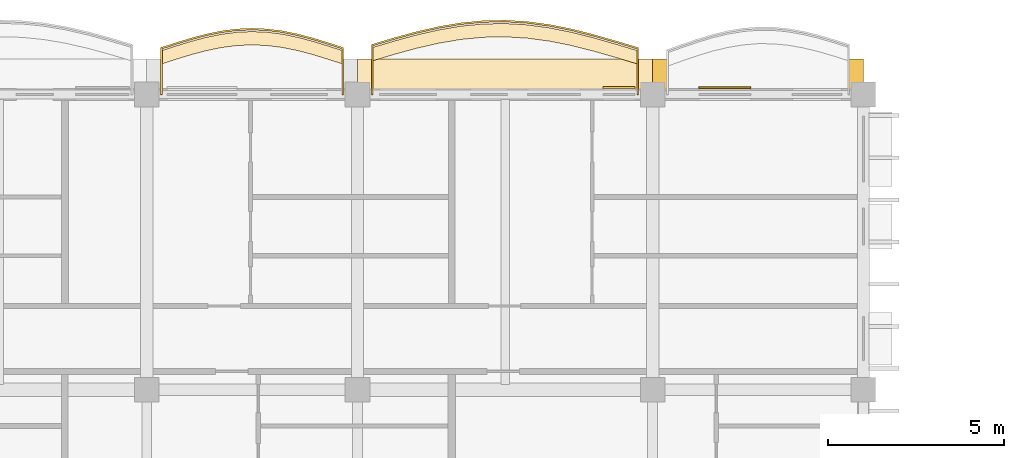
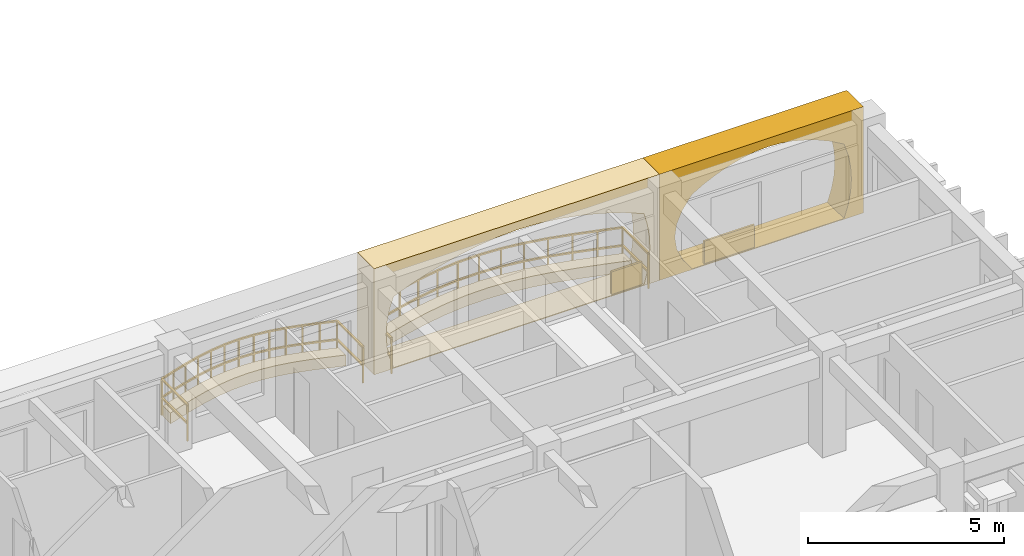
# One storey, part 53 of 70: 6 coverings, 2 railings.
"""IFC4 building model written with IfcOpenShell, lengths in metres."""

import ifcopenshell
import ifcopenshell.guid

model = None  # the IFC model being written
_history = None  # IfcOwnerHistory: only IFC2X3 demands one
_inside = {}  # id of a spatial element -> (the spatial element, [elements in it])
_under = {}  # id of a project, library or spatial element -> (it, [spatial elements below it])
_declared = {}  # id of a project -> (the project, [libraries it declares])
_typed = {}  # id of a type object -> (the type object, [elements of that type])
_made_of = {}  # id of a material, layer set ... -> (it, [elements and type objects made of it])


def new_model(schema):
    """Start an empty IFC model of exactly this schema.

    Asked for "IFC4X3", IfcOpenShell would pick the latest addendum, in which some entities
    have other attributes; the version numbers below select the first issue.
    IFC2X3 requires an IfcOwnerHistory on every rooted entity: one is made here for all.
    """
    global model, _history
    if schema == "IFC4X3":
        model = ifcopenshell.file(schema_version=(4, 3, 0, 0))
    else:
        model = ifcopenshell.file(schema=schema)
    _inside.clear()
    _under.clear()
    _declared.clear()
    _typed.clear()
    _made_of.clear()
    _history = None
    if model.schema == "IFC2X3":
        org = make("IfcOrganization", Name="unknown")
        user = make(
            "IfcPersonAndOrganization",
            ThePerson=make("IfcPerson", FamilyName="unknown"),
            TheOrganization=org,
        )
        app = make(
            "IfcApplication",
            ApplicationDeveloper=org,
            Version="unknown",
            ApplicationFullName="unknown",
            ApplicationIdentifier="unknown",
        )
        _history = make(
            "IfcOwnerHistory",
            OwningUser=user,
            OwningApplication=app,
            ChangeAction="ADDED",
            CreationDate=0,
        )
    return model


def make(cls, **values):
    """One entity of the class cls with the attributes given. An attribute that is None is left unset."""
    return model.create_entity(
        cls, **{name: value for name, value in values.items() if value is not None}
    )


def rooted(cls, **values):
    """An entity with a GlobalId (a new one), such as an element, a storey or a relation."""
    return make(cls, GlobalId=ifcopenshell.guid.new(), OwnerHistory=_history, **values)


def si_unit(unit_type, name, prefix=None):
    """IfcSIUnit, for example si_unit("LENGTHUNIT", "METRE", prefix="MILLI")."""
    return make("IfcSIUnit", UnitType=unit_type, Prefix=prefix, Name=name)


def assignment(units):
    """IfcUnitAssignment: the units of a project."""
    return None if units is None else make("IfcUnitAssignment", Units=units)


def point(xyz):
    """IfcCartesianPoint."""
    return None if xyz is None else make("IfcCartesianPoint", Coordinates=xyz)


def direction(xyz):
    """IfcDirection."""
    return None if xyz is None else make("IfcDirection", DirectionRatios=xyz)


def frame(location, z_axis=None, x_axis=None):
    """IfcAxis2Placement3D, a coordinate frame: its origin and axes. An axis left out is left unset."""
    return make(
        "IfcAxis2Placement3D",
        Location=point(location),
        Axis=direction(z_axis),
        RefDirection=direction(x_axis),
    )


def frame_2d(location, x_axis=None):
    """IfcAxis2Placement2D, a coordinate frame in the plane: its origin and x axis."""
    return make(
        "IfcAxis2Placement2D", Location=point(location), RefDirection=direction(x_axis)
    )


def origin():
    """The frame at (0, 0, 0) with its axes left unset."""
    return frame((0.0, 0.0, 0.0))


def origin_2d():
    """The frame at (0, 0) in the plane with its x axis left unset."""
    return frame_2d((0.0, 0.0))


def place(relative_to, where):
    """IfcLocalPlacement: puts the frame where relative to a parent placement (None: the world)."""
    return make(
        "IfcLocalPlacement", PlacementRelTo=relative_to, RelativePlacement=where
    )


def context(
    kind, dimensions, precision=None, world=None, true_north=None, identifier=None
):
    """IfcGeometricRepresentationContext, for example the 3D "Model" context."""
    return make(
        "IfcGeometricRepresentationContext",
        ContextIdentifier=identifier,
        ContextType=kind,
        CoordinateSpaceDimension=dimensions,
        Precision=precision,
        WorldCoordinateSystem=world,
        TrueNorth=true_north,
    )


def subcontext(parent, identifier, kind, view, scale=None):
    """IfcGeometricRepresentationSubContext, for example "Body" below "Model"."""
    return make(
        "IfcGeometricRepresentationSubContext",
        ContextIdentifier=identifier,
        ContextType=kind,
        ParentContext=parent,
        TargetScale=scale,
        TargetView=view,
    )


def project(units=None, contexts=None):
    """IfcProject with its units and contexts."""
    return rooted(
        "IfcProject",
        Name="project",
        RepresentationContexts=contexts,
        UnitsInContext=assignment(units),
    )


def spatial(cls, under=None, at=None, **own):
    """A site, building, storey or space (cls), placed at a placement, below another one or the project."""
    s = rooted(cls, ObjectPlacement=at, **own)
    if under is not None:
        _under.setdefault(under.id(), (under, []))[1].append(s)
    return s


def polyline(points):
    """IfcPolyline through the points."""
    return make("IfcPolyline", Points=[point(p) for p in points])


def profile(cls, at=None, kind="AREA", **sizes):
    """A parametric profile (cls). Its sizes go by their IFC names, for example OverallWidth=200.0."""
    return make(cls, ProfileType=kind, Position=at, **sizes)


def rectangle(**sizes):
    """IfcRectangleProfileDef."""
    return profile("IfcRectangleProfileDef", **sizes)


def outline(outer, holes=None, kind="AREA"):
    """IfcArbitraryClosedProfileDef: a profile drawn as a closed curve; with holes, ...WithVoids."""
    if holes is None:
        return make("IfcArbitraryClosedProfileDef", ProfileType=kind, OuterCurve=outer)
    return make(
        "IfcArbitraryProfileDefWithVoids",
        ProfileType=kind,
        OuterCurve=outer,
        InnerCurves=holes,
    )


def extrude(swept, where, along, depth):
    """IfcExtrudedAreaSolid: the profile swept, set in the frame where, extruded along a direction by depth."""
    return make(
        "IfcExtrudedAreaSolid",
        SweptArea=swept,
        Position=where,
        ExtrudedDirection=direction(along),
        Depth=depth,
    )


def shape(context_of_items, identifier, shape_type, items):
    """IfcShapeRepresentation: the items that make up one representation, for example the "Body"."""
    return make(
        "IfcShapeRepresentation",
        ContextOfItems=context_of_items,
        RepresentationIdentifier=identifier,
        RepresentationType=shape_type,
        Items=items,
    )


def material(Name=None, Category=None):
    """IfcMaterial."""
    return make("IfcMaterial", Name=Name, Category=Category)


def layer(
    of_material, thickness, ventilated=None, Name=None, Category=None, Priority=None
):
    """IfcMaterialLayer: one layer of a wall or slab, of a material (None: an air gap)."""
    return make(
        "IfcMaterialLayer",
        Material=of_material,
        LayerThickness=thickness,
        IsVentilated=ventilated,
        Name=Name,
        Category=Category,
        Priority=Priority,
    )


def layer_set(layers, Name=None):
    """IfcMaterialLayerSet."""
    return make("IfcMaterialLayerSet", MaterialLayers=layers, LayerSetName=Name)


def made_of(thing, what):
    """Note that an element or type object is made of a material, layer set ...; save() writes the relation."""
    if what is not None:
        _made_of.setdefault(what.id(), (what, []))[1].append(thing)
    return thing


def type_object(cls, material=None, **own):
    """A type object (cls), such as IfcWallType, which elements share."""
    return made_of(rooted(cls, **own), material)


def element(
    cls,
    number,
    at=None,
    inside=None,
    cuts=None,
    type_object=None,
    material=None,
    context=None,
    identifier="Body",
    shape_type=None,
    held_by="IfcProductDefinitionShape",
    body=None,
    shapes=None,
    **own,
):
    """One element of the class cls, such as IfcWall. Its Tag is "e" and its number.

    at: its placement. inside: the storey or other place that contains it. cuts: it is an
    opening in that element (IfcRelVoidsElement). A single representation is given by context,
    identifier, shape_type and body (its items); several are given by shapes. held_by: the class
    of the entity that holds the representations. save() writes the other relations.
    """
    e = rooted(cls, Tag="e%d" % number, ObjectPlacement=at, **own)
    if body is not None:
        shapes = [shape(context, identifier, shape_type, body)]
    if shapes is not None:
        e.Representation = make(held_by, Representations=shapes)
    if inside is not None:
        _inside.setdefault(inside.id(), (inside, []))[1].append(e)
    if cuts is not None:
        rooted(
            "IfcRelVoidsElement", RelatingBuildingElement=cuts, RelatedOpeningElement=e
        )
    if type_object is not None:
        _typed.setdefault(type_object.id(), (type_object, []))[1].append(e)
    return made_of(e, material)


def aggregate(whole, parts):
    """IfcRelAggregates: a whole, such as a stair, and the parts it consists of."""
    return rooted("IfcRelAggregates", RelatingObject=whole, RelatedObjects=parts)


def save(model, path):
    """Write the relations noted so far, then the file.

    IfcRelAggregates (storeys below a building ...), IfcRelContainedInSpatialStructure (elements
    in a storey), IfcRelDefinesByType, IfcRelAssociatesMaterial and IfcRelDeclares: one each for
    every whole, place, type object, material and project.
    """
    for whole, parts in _under.values():
        aggregate(whole, parts)
    for where, things in _inside.values():
        rooted(
            "IfcRelContainedInSpatialStructure",
            RelatedElements=things,
            RelatingStructure=where,
        )
    for kind, things in _typed.values():
        rooted("IfcRelDefinesByType", RelatedObjects=things, RelatingType=kind)
    for what, things in _made_of.values():
        rooted("IfcRelAssociatesMaterial", RelatedObjects=things, RelatingMaterial=what)
    for by, libraries in _declared.values():
        rooted("IfcRelDeclares", RelatingContext=by, RelatedDefinitions=libraries)
    model.write(path)


model = new_model("IFC4")

# Units and contexts
model_context = context("Model", 3, precision=1e-05, world=origin(), true_north=direction((0.0, 1.0)))
body_context = subcontext(model_context, "Body", "Model", "MODEL_VIEW")
ifc_project = project(units=[si_unit("LENGTHUNIT", "METRE"), si_unit("AREAUNIT", "SQUARE_METRE"), si_unit("VOLUMEUNIT", "CUBIC_METRE"), si_unit("PLANEANGLEUNIT", "RADIAN"), si_unit("MASSUNIT", "GRAM", prefix="KILO"), si_unit("THERMODYNAMICTEMPERATUREUNIT", "KELVIN")], contexts=[model_context])

# Site, building, storey
site_placement = place(None, origin())
site = spatial("IfcSite", under=ifc_project, at=site_placement, CompositionType="ELEMENT")
building_placement = place(site_placement, origin())
building = spatial("IfcBuilding", under=site, at=building_placement, Name="Thalorik Housing Commons", CompositionType="ELEMENT")
storey_placement = place(building_placement, frame((0.0, 0.0, 14.699951171875)))
storey = spatial("IfcBuildingStorey", under=building, at=storey_placement, Name="L04", CompositionType="ELEMENT", Elevation=14.699951171875)

# Coverings
ifc_material_1 = material(Name="Cobalt blue glazed ceramic facade tile panel", Category="masonry")
ifc_layer_1 = layer(ifc_material_1, 0.06005859375, Name="Cobalt blue glazed ceramic facade tile panel", Category="masonry")
ifc_layer_set_1 = layer_set([ifc_layer_1], Name="Cobalt blue glazed ceramic facade tile panel")
covering_type_1 = type_object("IfcCoveringType", Name="ARC-CLD-BLU-60", PredefinedType="CLADDING", material=ifc_layer_set_1)
covering_1_placement = place(storey_placement, frame((50.643310546875, 123.794921875, 0.05029296875), z_axis=(0.0, 0.0, 1.0), x_axis=(-1.0, 0.0, 0.0)))
element("IfcCovering", 1, at=covering_1_placement, inside=storey, type_object=covering_type_1, Name="L04 De Stijl Recessed Window Spandrel 431", PredefinedType="CLADDING", context=body_context, shape_type="SweptSolid", body=[
    extrude(rectangle(XDim=0.89990234375, YDim=0.06005859375, at=origin_2d()), origin(), (0.0, 0.0, 1.0), 0.699951171875),
])
ifc_material_2 = material(Name="Precast concrete C40/50", Category="concrete")
ifc_layer_2 = layer(ifc_material_2, 0.85009765625, Name="Precast concrete C40/50", Category="concrete")
ifc_layer_set_2 = layer_set([ifc_layer_2], Name="Precast concrete C40/50")
covering_type_2 = type_object("IfcCoveringType", Name="ARC-CLD-CUSH-850", PredefinedType="CLADDING", material=ifc_layer_set_2)
covering_2_placement = place(storey_placement, frame((54.60009765625, 124.18505859375, 0.0), z_axis=(0.0, 0.0, 1.0), x_axis=(-1.0, 0.0, 0.0)))
element("IfcCovering", 2, at=covering_2_placement, inside=storey, type_object=covering_type_2, Name="L04 White Precast Curved Cushion Bay Frame 428", PredefinedType="CLADDING", context=body_context, shape_type="SweptSolid", body=[
    extrude(outline(polyline([(-3.0, 0.0), (3.0, 0.0), (3.0, 3.300048828125), (-3.0, 3.300048828125), (-3.0, 0.0)]), holes=[polyline([(2.0400390625, 0.02490234375), (2.3232421875, 0.410888671875), (2.493408203125, 0.796630859375), (2.550048828125, 1.1826171875), (2.493408203125, 1.568359375), (2.3232421875, 1.9541015625), (2.0400390625, 2.340087890625), (1.66748046875, 2.552978515625), (1.294921875, 2.720458984375), (0.922607421875, 2.85595703125), (0.550048828125, 2.956787109375), (0.177490234375, 3.01904296875), (-0.195068359375, 3.0400390625), (-0.5673828125, 3.01904296875), (-0.93994140625, 2.956787109375), (-1.3125, 2.85595703125), (-1.68505859375, 2.720458984375), (-2.0576171875, 2.552978515625), (-2.429931640625, 2.340087890625), (-2.55029296875, 1.9541015625), (-2.62255859375, 1.568359375), (-2.646484375, 1.1826171875), (-2.62255859375, 0.796630859375), (-2.55029296875, 0.410888671875), (-2.429931640625, 0.02490234375), (2.0400390625, 0.02490234375)])]), frame((0.0, 0.425048828125, 0.0), z_axis=(0.0, -1.0, 0.0), x_axis=(1.0, 0.0, 0.0)), (0.0, 0.0, 1.0), 0.85009765625),
])
covering_3_placement = place(storey_placement, frame((47.39990234375, 124.18505859375, 0.0), z_axis=(0.0, 0.0, 1.0), x_axis=(-1.0, 0.0, 0.0)))
element("IfcCovering", 3, at=covering_3_placement, inside=storey, type_object=covering_type_2, Name="L04 White Precast Curved Cushion Bay Frame 430", PredefinedType="CLADDING", context=body_context, shape_type="SweptSolid", body=[
    extrude(outline(polyline([(-4.199951171875, 0.0), (4.199951171875, 0.0), (4.199951171875, 3.300048828125), (-4.199951171875, 3.300048828125), (-4.199951171875, 0.0)]), holes=[polyline([(3.625, 0.02490234375), (3.746337890625, 0.394287109375), (3.819091796875, 0.76318359375), (3.843505859375, 1.132568359375), (3.819091796875, 1.501708984375), (3.746337890625, 1.870849609375), (3.625, 2.239990234375), (3.010986328125, 2.4833984375), (2.39697265625, 2.6748046875), (1.782958984375, 2.82958984375), (1.1689453125, 2.94482421875), (0.5546875, 3.01611328125), (-0.05908203125, 3.0400390625), (-0.673095703125, 3.01611328125), (-1.287353515625, 2.94482421875), (-1.9013671875, 2.82958984375), (-2.515380859375, 2.6748046875), (-3.12939453125, 2.4833984375), (-3.743408203125, 2.239990234375), (-3.83984375, 1.870849609375), (-3.897705078125, 1.501708984375), (-3.9169921875, 1.132568359375), (-3.897705078125, 0.76318359375), (-3.83984375, 0.394287109375), (-3.743408203125, 0.02490234375), (3.625, 0.02490234375)])]), frame((0.0, 0.425048828125, 0.0), z_axis=(0.0, -1.0, 0.0), x_axis=(1.0, 0.0, 0.0)), (0.0, 0.0, 1.0), 0.85009765625),
])
ifc_material_3 = material(Name="Terracotta red mineral fibre-cement panel", Category="masonry")
ifc_layer_3 = layer(ifc_material_3, 0.054931640625, Name="Terracotta red mineral fibre-cement panel", Category="masonry")
ifc_layer_set_3 = layer_set([ifc_layer_3], Name="Terracotta red mineral fibre-cement panel")
covering_type_3 = type_object("IfcCoveringType", Name="ARC-CLD-RED-55", PredefinedType="CLADDING", material=ifc_layer_set_3)
covering_4_placement = place(storey_placement, frame((53.659912109375, 123.79248046875, 0.05029296875), z_axis=(0.0, 0.0, 1.0), x_axis=(-1.0, 0.0, 0.0)))
element("IfcCovering", 4, at=covering_4_placement, inside=storey, type_object=covering_type_3, Name="L04 De Stijl Recessed Window Spandrel 429", PredefinedType="CLADDING", context=body_context, shape_type="SweptSolid", body=[
    extrude(rectangle(XDim=1.47998046875, YDim=0.054931640625, at=origin_2d()), origin(), (0.0, 0.0, 1.0), 0.699951171875),
])
ifc_material_4 = material(Name="Planted vegetated substrate and terracotta trough", Category="masonry")
ifc_layer_4 = layer(ifc_material_4, 0.340087890625, Name="Planted vegetated substrate and terracotta trough", Category="masonry")
ifc_layer_set_4 = layer_set([ifc_layer_4], Name="Planted vegetated substrate and terracotta trough")
covering_type_4 = type_object("IfcCoveringType", Name="ARC-COV-PLANTER", PredefinedType="USERDEFINED", material=ifc_layer_set_4)
covering_5_placement = place(storey_placement, origin())
element("IfcCovering", 5, at=covering_5_placement, inside=storey, type_object=covering_type_4, Name="L04 Balcony Slab-Edge Planted Trough 5339", ObjectType="PLANTER", PredefinedType="USERDEFINED", context=body_context, shape_type="SweptSolid", body=[
    extrude(outline(polyline([(42.780029296875, 124.847900390625), (42.35009765625, 124.987060546875), (41.919921875, 125.117919921875), (41.489990234375, 125.231201171875), (41.06005859375, 125.318359375), (40.6298828125, 125.373291015625), (40.199951171875, 125.39208984375), (39.77001953125, 125.373291015625), (39.340087890625, 125.318359375), (38.909912109375, 125.231201171875), (38.47998046875, 125.117919921875), (38.050048828125, 124.987060546875), (37.6201171875, 124.847900390625), (37.6201171875, 124.4677734375), (38.050048828125, 124.60693359375), (38.47998046875, 124.738037109375), (38.909912109375, 124.85107421875), (39.340087890625, 124.938232421875), (39.77001953125, 124.9931640625), (40.199951171875, 125.011962890625), (40.6298828125, 124.9931640625), (41.06005859375, 124.938232421875), (41.489990234375, 124.85107421875), (41.919921875, 124.738037109375), (42.35009765625, 124.60693359375), (42.780029296875, 124.4677734375), (42.780029296875, 124.847900390625)])), origin(), (0.0, 0.0, 1.0), 0.340087890625),
])
covering_6_placement = place(storey_placement, origin())
element("IfcCovering", 6, at=covering_6_placement, inside=storey, type_object=covering_type_4, Name="L04 Balcony Slab-Edge Planted Trough 5340", ObjectType="PLANTER", PredefinedType="USERDEFINED", context=body_context, shape_type="SweptSolid", body=[
    extrude(outline(polyline([(51.179931640625, 124.844970703125), (50.550048828125, 125.0341796875), (49.919921875, 125.21435546875), (49.2900390625, 125.372802734375), (48.659912109375, 125.4990234375), (48.030029296875, 125.58349609375), (47.39990234375, 125.620849609375), (46.77001953125, 125.6083984375), (46.139892578125, 125.54638671875), (45.510009765625, 125.439697265625), (44.8798828125, 125.29541015625), (44.25, 125.12353515625), (43.6201171875, 124.935791015625), (43.6201171875, 124.555908203125), (44.25, 124.743408203125), (44.8798828125, 124.91552734375), (45.510009765625, 125.059814453125), (46.139892578125, 125.16650390625), (46.77001953125, 125.228271484375), (47.39990234375, 125.240966796875), (48.030029296875, 125.20361328125), (48.659912109375, 125.118896484375), (49.2900390625, 124.992919921875), (49.919921875, 124.834228515625), (50.550048828125, 124.654296875), (51.179931640625, 124.465087890625), (51.179931640625, 124.844970703125)])), origin(), (0.0, 0.0, 1.0), 0.340087890625),
])

# Railings
ifc_material_5 = material(Name="Steel S355", Category="steel")
railing_type_1 = type_object("IfcRailingType", Name="ARC-RL-BAL-112", PredefinedType="BALUSTRADE", material=ifc_material_5)
railing_1_placement = place(storey_placement, frame((51.179931640625, 123.60009765625, 0.0)))
element("IfcRailing", 7, at=railing_1_placement, inside=storey, type_object=railing_type_1, Name="L04 Cushion Balcony Guardrail 24", PredefinedType="BALUSTRADE", context=body_context, shape_type="SweptSolid", body=[
    extrude(rectangle(XDim=0.050048828125, YDim=0.050048828125, at=origin_2d()), frame((0.0, 0.0, 1.09521484375), z_axis=(0.0, 1.0, 0.0), x_axis=(-1.0, 0.0, 0.0)), (0.0, 0.0, 1.0), 1.31494140625),
    extrude(rectangle(XDim=0.050048828125, YDim=0.050048828125, at=origin_2d()), frame((0.0, 0.0, 0.53515625), z_axis=(0.0, 1.0, 0.0), x_axis=(-1.0, 0.0, 0.0)), (0.0, 0.0, 1.0), 1.31494140625),
    extrude(rectangle(XDim=0.050048828125, YDim=0.050048828125, at=origin_2d()), frame((0.0, 1.31494140625, 1.09521484375), z_axis=(-0.957724056546, 0.287688427839, 0.0), x_axis=(-0.287688427839, -0.957724056546, 0.0)), (0.0, 0.0, 1.0), 0.65771484375),
    extrude(rectangle(XDim=0.050048828125, YDim=0.050048828125, at=origin_2d()), frame((0.0, 1.31494140625, 0.53515625), z_axis=(-0.957724056546, 0.287688427839, 0.0), x_axis=(-0.287688427839, -0.957724056546, 0.0)), (0.0, 0.0, 1.0), 0.65771484375),
    extrude(rectangle(XDim=0.050048828125, YDim=0.050048828125, at=origin_2d()), frame((-0.6298828125, 1.504150390625, 1.09521484375), z_axis=(-0.96156611242, 0.274573508273, 0.0), x_axis=(-0.274573508273, -0.96156611242, 0.0)), (0.0, 0.0, 1.0), 0.6552734375),
    extrude(rectangle(XDim=0.050048828125, YDim=0.050048828125, at=origin_2d()), frame((-0.6298828125, 1.504150390625, 0.53515625), z_axis=(-0.96156611242, 0.274573508273, 0.0), x_axis=(-0.274573508273, -0.96156611242, 0.0)), (0.0, 0.0, 1.0), 0.6552734375),
    extrude(rectangle(XDim=0.050048828125, YDim=0.050048828125, at=origin_2d()), frame((-1.260009765625, 1.68408203125, 1.09521484375), z_axis=(-0.969698708752, 0.244303938251, 0.0), x_axis=(-0.244303938251, -0.969698708752, 0.0)), (0.0, 0.0, 1.0), 0.649658203125),
    extrude(rectangle(XDim=0.050048828125, YDim=0.050048828125, at=origin_2d()), frame((-1.260009765625, 1.68408203125, 0.53515625), z_axis=(-0.969698708752, 0.244303938251, 0.0), x_axis=(-0.244303938251, -0.969698708752, 0.0)), (0.0, 0.0, 1.0), 0.649658203125),
    extrude(rectangle(XDim=0.050048828125, YDim=0.050048828125, at=origin_2d()), frame((-1.889892578125, 1.8427734375, 1.09521484375), z_axis=(-0.980522185975, 0.196408357284, 0.0), x_axis=(-0.196408357284, -0.980522185975, 0.0)), (0.0, 0.0, 1.0), 0.642578125),
    extrude(rectangle(XDim=0.050048828125, YDim=0.050048828125, at=origin_2d()), frame((-1.889892578125, 1.8427734375, 0.53515625), z_axis=(-0.980522185975, 0.196408357284, 0.0), x_axis=(-0.196408357284, -0.980522185975, 0.0)), (0.0, 0.0, 1.0), 0.642578125),
    extrude(rectangle(XDim=0.050048828125, YDim=0.050048828125, at=origin_2d()), frame((-2.52001953125, 1.968994140625, 1.09521484375), z_axis=(-0.991126960546, 0.132918576879, 0.0), x_axis=(-0.132918576879, -0.991126960546, 0.0)), (0.0, 0.0, 1.0), 0.635498046875),
    extrude(rectangle(XDim=0.050048828125, YDim=0.050048828125, at=origin_2d()), frame((-2.52001953125, 1.968994140625, 0.53515625), z_axis=(-0.991126960546, 0.132918576879, 0.0), x_axis=(-0.132918576879, -0.991126960546, 0.0)), (0.0, 0.0, 1.0), 0.635498046875),
    extrude(rectangle(XDim=0.050048828125, YDim=0.050048828125, at=origin_2d()), frame((-3.14990234375, 2.053466796875, 1.09521484375), z_axis=(-0.998247596549, 0.059175467754, 0.0), x_axis=(-0.059175467754, -0.998247596549, 0.0)), (0.0, 0.0, 1.0), 0.63134765625),
    extrude(rectangle(XDim=0.050048828125, YDim=0.050048828125, at=origin_2d()), frame((-3.14990234375, 2.053466796875, 0.53515625), z_axis=(-0.998247596549, 0.059175467754, 0.0), x_axis=(-0.059175467754, -0.998247596549, 0.0)), (0.0, 0.0, 1.0), 0.63134765625),
    extrude(rectangle(XDim=0.050048828125, YDim=0.050048828125, at=origin_2d()), frame((-3.780029296875, 2.0908203125, 1.09521484375), z_axis=(-0.999796949068, -0.02015094626, 0.0), x_axis=(0.02015094626, -0.999796949068, 0.0)), (0.0, 0.0, 1.0), 0.630126953125),
    extrude(rectangle(XDim=0.050048828125, YDim=0.050048828125, at=origin_2d()), frame((-3.780029296875, 2.0908203125, 0.53515625), z_axis=(-0.999796949068, -0.02015094626, 0.0), x_axis=(0.02015094626, -0.999796949068, 0.0)), (0.0, 0.0, 1.0), 0.630126953125),
    extrude(rectangle(XDim=0.050048828125, YDim=0.050048828125, at=origin_2d()), frame((-4.409912109375, 2.078125, 1.09521484375), z_axis=(-0.995229993395, -0.097556446466, 0.0), x_axis=(0.097556446466, -0.995229993395, 0.0)), (0.0, 0.0, 1.0), 0.633056640625),
    extrude(rectangle(XDim=0.050048828125, YDim=0.050048828125, at=origin_2d()), frame((-4.409912109375, 2.078125, 0.53515625), z_axis=(-0.995229993395, -0.097556446466, 0.0), x_axis=(0.097556446466, -0.995229993395, 0.0)), (0.0, 0.0, 1.0), 0.633056640625),
    extrude(rectangle(XDim=0.050048828125, YDim=0.050048828125, at=origin_2d()), frame((-5.0400390625, 2.016357421875, 1.09521484375), z_axis=(-0.985956693723, -0.167001191921, 0.0), x_axis=(0.167001191921, -0.985956693723, 0.0)), (0.0, 0.0, 1.0), 0.638916015625),
    extrude(rectangle(XDim=0.050048828125, YDim=0.050048828125, at=origin_2d()), frame((-5.0400390625, 2.016357421875, 0.53515625), z_axis=(-0.985956693723, -0.167001191921, 0.0), x_axis=(0.167001191921, -0.985956693723, 0.0)), (0.0, 0.0, 1.0), 0.638916015625),
    extrude(rectangle(XDim=0.050048828125, YDim=0.050048828125, at=origin_2d()), frame((-5.669921875, 1.90966796875, 1.09521484375), z_axis=(-0.974771705856, -0.223204214708, 0.0), x_axis=(0.223204214708, -0.974771705856, 0.0)), (0.0, 0.0, 1.0), 0.646484375),
    extrude(rectangle(XDim=0.050048828125, YDim=0.050048828125, at=origin_2d()), frame((-5.669921875, 1.90966796875, 0.53515625), z_axis=(-0.974771705856, -0.223204214708, 0.0), x_axis=(0.223204214708, -0.974771705856, 0.0)), (0.0, 0.0, 1.0), 0.646484375),
    extrude(rectangle(XDim=0.050048828125, YDim=0.050048828125, at=origin_2d()), frame((-6.300048828125, 1.765380859375, 1.09521484375), z_axis=(-0.964729296683, -0.263243963126, 0.0), x_axis=(0.263243963126, -0.964729296683, 0.0)), (0.0, 0.0, 1.0), 0.65283203125),
    extrude(rectangle(XDim=0.050048828125, YDim=0.050048828125, at=origin_2d()), frame((-6.300048828125, 1.765380859375, 0.53515625), z_axis=(-0.964729296683, -0.263243963126, 0.0), x_axis=(0.263243963126, -0.964729296683, 0.0)), (0.0, 0.0, 1.0), 0.65283203125),
    extrude(rectangle(XDim=0.050048828125, YDim=0.050048828125, at=origin_2d()), frame((-6.929931640625, 1.593505859375, 1.09521484375), z_axis=(-0.958335936708, -0.285643540825, 0.0), x_axis=(0.285643540825, -0.958335936708, 0.0)), (0.0, 0.0, 1.0), 0.6572265625),
    extrude(rectangle(XDim=0.050048828125, YDim=0.050048828125, at=origin_2d()), frame((-6.929931640625, 1.593505859375, 0.53515625), z_axis=(-0.958335936708, -0.285643540825, 0.0), x_axis=(0.285643540825, -0.958335936708, 0.0)), (0.0, 0.0, 1.0), 0.6572265625),
    extrude(rectangle(XDim=0.050048828125, YDim=0.050048828125, at=origin_2d()), frame((-7.559814453125, 1.40576171875, 1.09521484375), z_axis=(0.0, -1.0, 0.0), x_axis=(1.0, 0.0, 0.0)), (0.0, 0.0, 1.0), 1.40576171875),
    extrude(rectangle(XDim=0.050048828125, YDim=0.050048828125, at=origin_2d()), frame((-7.559814453125, 1.40576171875, 0.53515625), z_axis=(0.0, -1.0, 0.0), x_axis=(1.0, 0.0, 0.0)), (0.0, 0.0, 1.0), 1.40576171875),
    extrude(rectangle(XDim=0.0419921875, YDim=0.0419921875, at=origin_2d()), origin(), (0.0, 0.0, 1.0), 1.070068359375),
    extrude(rectangle(XDim=0.0419921875, YDim=0.0419921875, at=origin_2d()), frame((0.0, 1.31494140625, 0.0)), (0.0, 0.0, 1.0), 1.070068359375),
    extrude(rectangle(XDim=0.0419921875, YDim=0.0419921875, at=origin_2d()), frame((-0.6298828125, 1.504150390625, 0.0)), (0.0, 0.0, 1.0), 1.070068359375),
    extrude(rectangle(XDim=0.0419921875, YDim=0.0419921875, at=origin_2d()), frame((-1.260009765625, 1.68408203125, 0.0)), (0.0, 0.0, 1.0), 1.070068359375),
    extrude(rectangle(XDim=0.0419921875, YDim=0.0419921875, at=origin_2d()), frame((-1.889892578125, 1.8427734375, 0.0)), (0.0, 0.0, 1.0), 1.070068359375),
    extrude(rectangle(XDim=0.0419921875, YDim=0.0419921875, at=origin_2d()), frame((-2.52001953125, 1.968994140625, 0.0)), (0.0, 0.0, 1.0), 1.070068359375),
    extrude(rectangle(XDim=0.0419921875, YDim=0.0419921875, at=origin_2d()), frame((-3.14990234375, 2.053466796875, 0.0)), (0.0, 0.0, 1.0), 1.070068359375),
    extrude(rectangle(XDim=0.0419921875, YDim=0.0419921875, at=origin_2d()), frame((-3.780029296875, 2.0908203125, 0.0)), (0.0, 0.0, 1.0), 1.070068359375),
    extrude(rectangle(XDim=0.0419921875, YDim=0.0419921875, at=origin_2d()), frame((-4.409912109375, 2.078125, 0.0)), (0.0, 0.0, 1.0), 1.070068359375),
    extrude(rectangle(XDim=0.0419921875, YDim=0.0419921875, at=origin_2d()), frame((-5.0400390625, 2.016357421875, 0.0)), (0.0, 0.0, 1.0), 1.070068359375),
    extrude(rectangle(XDim=0.0419921875, YDim=0.0419921875, at=origin_2d()), frame((-5.669921875, 1.90966796875, 0.0)), (0.0, 0.0, 1.0), 1.070068359375),
    extrude(rectangle(XDim=0.0419921875, YDim=0.0419921875, at=origin_2d()), frame((-6.300048828125, 1.765380859375, 0.0)), (0.0, 0.0, 1.0), 1.070068359375),
    extrude(rectangle(XDim=0.0419921875, YDim=0.0419921875, at=origin_2d()), frame((-6.929931640625, 1.593505859375, 0.0)), (0.0, 0.0, 1.0), 1.070068359375),
    extrude(rectangle(XDim=0.0419921875, YDim=0.0419921875, at=origin_2d()), frame((-7.559814453125, 1.40576171875, 0.0)), (0.0, 0.0, 1.0), 1.070068359375),
    extrude(rectangle(XDim=0.0419921875, YDim=0.0419921875, at=origin_2d()), frame((-7.559814453125, 0.0, 0.0)), (0.0, 0.0, 1.0), 1.070068359375),
])
railing_type_2 = type_object("IfcRailingType", Name="ARC-RL-BAL-115", PredefinedType="BALUSTRADE", material=ifc_material_5)
railing_2_placement = place(storey_placement, frame((42.780029296875, 123.60009765625, 0.0)))
element("IfcRailing", 8, at=railing_2_placement, inside=storey, type_object=railing_type_2, Name="L04 Cushion Balcony Guardrail 23", PredefinedType="BALUSTRADE", context=body_context, shape_type="SweptSolid", body=[
    extrude(rectangle(XDim=0.050048828125, YDim=0.050048828125, at=origin_2d()), frame((0.0, 0.0, 1.125), z_axis=(0.0, 1.0, 0.0), x_axis=(-1.0, 0.0, 0.0)), (0.0, 0.0, 1.0), 1.317626953125),
    extrude(rectangle(XDim=0.050048828125, YDim=0.050048828125, at=origin_2d()), frame((0.0, 0.0, 0.5498046875), z_axis=(0.0, 1.0, 0.0), x_axis=(-1.0, 0.0, 0.0)), (0.0, 0.0, 1.0), 1.317626953125),
    extrude(rectangle(XDim=0.050048828125, YDim=0.050048828125, at=origin_2d()), frame((0.0, 1.317626953125, 1.125), z_axis=(-0.951402625637, 0.30794974254, 0.0), x_axis=(-0.30794974254, -0.951402625637, 0.0)), (0.0, 0.0, 1.0), 0.451904296875),
    extrude(rectangle(XDim=0.050048828125, YDim=0.050048828125, at=origin_2d()), frame((0.0, 1.317626953125, 0.5498046875), z_axis=(-0.951402625637, 0.30794974254, 0.0), x_axis=(-0.30794974254, -0.951402625637, 0.0)), (0.0, 0.0, 1.0), 0.451904296875),
    extrude(rectangle(XDim=0.050048828125, YDim=0.050048828125, at=origin_2d()), frame((-0.429931640625, 1.456787109375, 1.125), z_axis=(-0.956562039655, 0.291528839554, 0.0), x_axis=(-0.291528839554, -0.956562039655, 0.0)), (0.0, 0.0, 1.0), 0.44970703125),
    extrude(rectangle(XDim=0.050048828125, YDim=0.050048828125, at=origin_2d()), frame((-0.429931640625, 1.456787109375, 0.5498046875), z_axis=(-0.956562039655, 0.291528839554, 0.0), x_axis=(-0.291528839554, -0.956562039655, 0.0)), (0.0, 0.0, 1.0), 0.44970703125),
    extrude(rectangle(XDim=0.050048828125, YDim=0.050048828125, at=origin_2d()), frame((-0.860107421875, 1.587890625, 1.125), z_axis=(-0.967131424423, 0.254277029817, 0.0), x_axis=(-0.254277029817, -0.967131424423, 0.0)), (0.0, 0.0, 1.0), 0.444580078125),
    extrude(rectangle(XDim=0.050048828125, YDim=0.050048828125, at=origin_2d()), frame((-0.860107421875, 1.587890625, 0.5498046875), z_axis=(-0.967131424423, 0.254277029817, 0.0), x_axis=(-0.254277029817, -0.967131424423, 0.0)), (0.0, 0.0, 1.0), 0.444580078125),
    extrude(rectangle(XDim=0.050048828125, YDim=0.050048828125, at=origin_2d()), frame((-1.2900390625, 1.700927734375, 1.125), z_axis=(-0.980063583933, 0.198684099639, 0.0), x_axis=(-0.198684099639, -0.980063583933, 0.0)), (0.0, 0.0, 1.0), 0.438720703125),
    extrude(rectangle(XDim=0.050048828125, YDim=0.050048828125, at=origin_2d()), frame((-1.2900390625, 1.700927734375, 0.5498046875), z_axis=(-0.980063583933, 0.198684099639, 0.0), x_axis=(-0.198684099639, -0.980063583933, 0.0)), (0.0, 0.0, 1.0), 0.438720703125),
    extrude(rectangle(XDim=0.050048828125, YDim=0.050048828125, at=origin_2d()), frame((-1.719970703125, 1.7880859375, 1.125), z_axis=(-0.991945265219, 0.126667244424, 0.0), x_axis=(-0.126667244424, -0.991945265219, 0.0)), (0.0, 0.0, 1.0), 0.43359375),
    extrude(rectangle(XDim=0.050048828125, YDim=0.050048828125, at=origin_2d()), frame((-1.719970703125, 1.7880859375, 0.5498046875), z_axis=(-0.991945265219, 0.126667244424, 0.0), x_axis=(-0.126667244424, -0.991945265219, 0.0)), (0.0, 0.0, 1.0), 0.43359375),
    extrude(rectangle(XDim=0.050048828125, YDim=0.050048828125, at=origin_2d()), frame((-2.150146484375, 1.843017578125, 1.125), z_axis=(-0.999045423924, 0.043683417173, 0.0), x_axis=(-0.043683417173, -0.999045423924, 0.0)), (0.0, 0.0, 1.0), 0.430419921875),
    extrude(rectangle(XDim=0.050048828125, YDim=0.050048828125, at=origin_2d()), frame((-2.150146484375, 1.843017578125, 0.5498046875), z_axis=(-0.999045423924, 0.043683417173, 0.0), x_axis=(-0.043683417173, -0.999045423924, 0.0)), (0.0, 0.0, 1.0), 0.430419921875),
    extrude(rectangle(XDim=0.050048828125, YDim=0.050048828125, at=origin_2d()), frame((-2.580078125, 1.86181640625, 1.125), z_axis=(-0.999045423924, -0.043683417173, 0.0), x_axis=(0.043683417173, -0.999045423924, 0.0)), (0.0, 0.0, 1.0), 0.430419921875),
    extrude(rectangle(XDim=0.050048828125, YDim=0.050048828125, at=origin_2d()), frame((-2.580078125, 1.86181640625, 0.5498046875), z_axis=(-0.999045423924, -0.043683417173, 0.0), x_axis=(0.043683417173, -0.999045423924, 0.0)), (0.0, 0.0, 1.0), 0.430419921875),
    extrude(rectangle(XDim=0.050048828125, YDim=0.050048828125, at=origin_2d()), frame((-3.010009765625, 1.843017578125, 1.125), z_axis=(-0.991936225096, -0.126738018539, 0.0), x_axis=(0.126738018539, -0.991936225096, 0.0)), (0.0, 0.0, 1.0), 0.433349609375),
    extrude(rectangle(XDim=0.050048828125, YDim=0.050048828125, at=origin_2d()), frame((-3.010009765625, 1.843017578125, 0.5498046875), z_axis=(-0.991936225096, -0.126738018539, 0.0), x_axis=(0.126738018539, -0.991936225096, 0.0)), (0.0, 0.0, 1.0), 0.433349609375),
    extrude(rectangle(XDim=0.050048828125, YDim=0.050048828125, at=origin_2d()), frame((-3.43994140625, 1.7880859375, 1.125), z_axis=(-0.980085535519, -0.198575786708, 0.0), x_axis=(0.198575786708, -0.980085535519, 0.0)), (0.0, 0.0, 1.0), 0.43896484375),
    extrude(rectangle(XDim=0.050048828125, YDim=0.050048828125, at=origin_2d()), frame((-3.43994140625, 1.7880859375, 0.5498046875), z_axis=(-0.980085535519, -0.198575786708, 0.0), x_axis=(0.198575786708, -0.980085535519, 0.0)), (0.0, 0.0, 1.0), 0.43896484375),
    extrude(rectangle(XDim=0.050048828125, YDim=0.050048828125, at=origin_2d()), frame((-3.8701171875, 1.700927734375, 1.125), z_axis=(-0.967131424423, -0.254277029817, 0.0), x_axis=(0.254277029817, -0.967131424423, 0.0)), (0.0, 0.0, 1.0), 0.444580078125),
    extrude(rectangle(XDim=0.050048828125, YDim=0.050048828125, at=origin_2d()), frame((-3.8701171875, 1.700927734375, 0.5498046875), z_axis=(-0.967131424423, -0.254277029817, 0.0), x_axis=(0.254277029817, -0.967131424423, 0.0)), (0.0, 0.0, 1.0), 0.444580078125),
    extrude(rectangle(XDim=0.050048828125, YDim=0.050048828125, at=origin_2d()), frame((-4.300048828125, 1.587890625, 1.125), z_axis=(-0.956515864466, -0.2916803062, 0.0), x_axis=(0.2916803062, -0.956515864466, 0.0)), (0.0, 0.0, 1.0), 0.449462890625),
    extrude(rectangle(XDim=0.050048828125, YDim=0.050048828125, at=origin_2d()), frame((-4.300048828125, 1.587890625, 0.5498046875), z_axis=(-0.956515864466, -0.2916803062, 0.0), x_axis=(0.2916803062, -0.956515864466, 0.0)), (0.0, 0.0, 1.0), 0.449462890625),
    extrude(rectangle(XDim=0.050048828125, YDim=0.050048828125, at=origin_2d()), frame((-4.72998046875, 1.456787109375, 1.125), z_axis=(-0.951402625637, -0.30794974254, 0.0), x_axis=(0.30794974254, -0.951402625637, 0.0)), (0.0, 0.0, 1.0), 0.451904296875),
    extrude(rectangle(XDim=0.050048828125, YDim=0.050048828125, at=origin_2d()), frame((-4.72998046875, 1.456787109375, 0.5498046875), z_axis=(-0.951402625637, -0.30794974254, 0.0), x_axis=(0.30794974254, -0.951402625637, 0.0)), (0.0, 0.0, 1.0), 0.451904296875),
    extrude(rectangle(XDim=0.050048828125, YDim=0.050048828125, at=origin_2d()), frame((-5.159912109375, 1.317626953125, 1.125), z_axis=(0.0, -1.0, 0.0), x_axis=(1.0, 0.0, 0.0)), (0.0, 0.0, 1.0), 1.317626953125),
    extrude(rectangle(XDim=0.050048828125, YDim=0.050048828125, at=origin_2d()), frame((-5.159912109375, 1.317626953125, 0.5498046875), z_axis=(0.0, -1.0, 0.0), x_axis=(1.0, 0.0, 0.0)), (0.0, 0.0, 1.0), 1.317626953125),
    extrude(rectangle(XDim=0.0419921875, YDim=0.0419921875, at=origin_2d()), origin(), (0.0, 0.0, 1.0), 1.099853515625),
    extrude(rectangle(XDim=0.0419921875, YDim=0.0419921875, at=origin_2d()), frame((0.0, 1.317626953125, 0.0)), (0.0, 0.0, 1.0), 1.099853515625),
    extrude(rectangle(XDim=0.0419921875, YDim=0.0419921875, at=origin_2d()), frame((-0.429931640625, 1.456787109375, 0.0)), (0.0, 0.0, 1.0), 1.099853515625),
    extrude(rectangle(XDim=0.0419921875, YDim=0.0419921875, at=origin_2d()), frame((-0.860107421875, 1.587890625, 0.0)), (0.0, 0.0, 1.0), 1.099853515625),
    extrude(rectangle(XDim=0.0419921875, YDim=0.0419921875, at=origin_2d()), frame((-1.2900390625, 1.700927734375, 0.0)), (0.0, 0.0, 1.0), 1.099853515625),
    extrude(rectangle(XDim=0.0419921875, YDim=0.0419921875, at=origin_2d()), frame((-1.719970703125, 1.7880859375, 0.0)), (0.0, 0.0, 1.0), 1.099853515625),
    extrude(rectangle(XDim=0.0419921875, YDim=0.0419921875, at=origin_2d()), frame((-2.150146484375, 1.843017578125, 0.0)), (0.0, 0.0, 1.0), 1.099853515625),
    extrude(rectangle(XDim=0.0419921875, YDim=0.0419921875, at=origin_2d()), frame((-2.580078125, 1.86181640625, 0.0)), (0.0, 0.0, 1.0), 1.099853515625),
    extrude(rectangle(XDim=0.0419921875, YDim=0.0419921875, at=origin_2d()), frame((-3.010009765625, 1.843017578125, 0.0)), (0.0, 0.0, 1.0), 1.099853515625),
    extrude(rectangle(XDim=0.0419921875, YDim=0.0419921875, at=origin_2d()), frame((-3.43994140625, 1.7880859375, 0.0)), (0.0, 0.0, 1.0), 1.099853515625),
    extrude(rectangle(XDim=0.0419921875, YDim=0.0419921875, at=origin_2d()), frame((-3.8701171875, 1.700927734375, 0.0)), (0.0, 0.0, 1.0), 1.099853515625),
    extrude(rectangle(XDim=0.0419921875, YDim=0.0419921875, at=origin_2d()), frame((-4.300048828125, 1.587890625, 0.0)), (0.0, 0.0, 1.0), 1.099853515625),
    extrude(rectangle(XDim=0.0419921875, YDim=0.0419921875, at=origin_2d()), frame((-4.72998046875, 1.456787109375, 0.0)), (0.0, 0.0, 1.0), 1.099853515625),
    extrude(rectangle(XDim=0.0419921875, YDim=0.0419921875, at=origin_2d()), frame((-5.159912109375, 1.317626953125, 0.0)), (0.0, 0.0, 1.0), 1.099853515625),
    extrude(rectangle(XDim=0.0419921875, YDim=0.0419921875, at=origin_2d()), frame((-5.159912109375, 0.0, 0.0)), (0.0, 0.0, 1.0), 1.099853515625),
])

save(model, "model.ifc")
